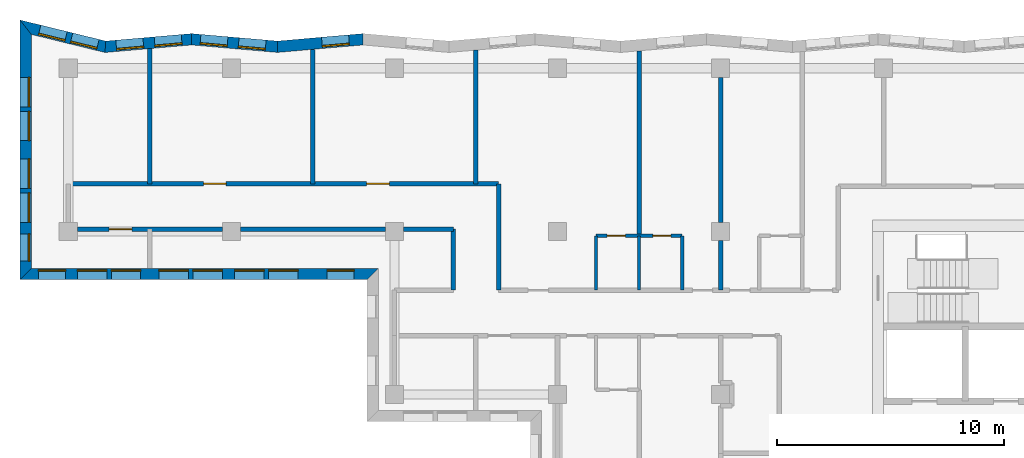
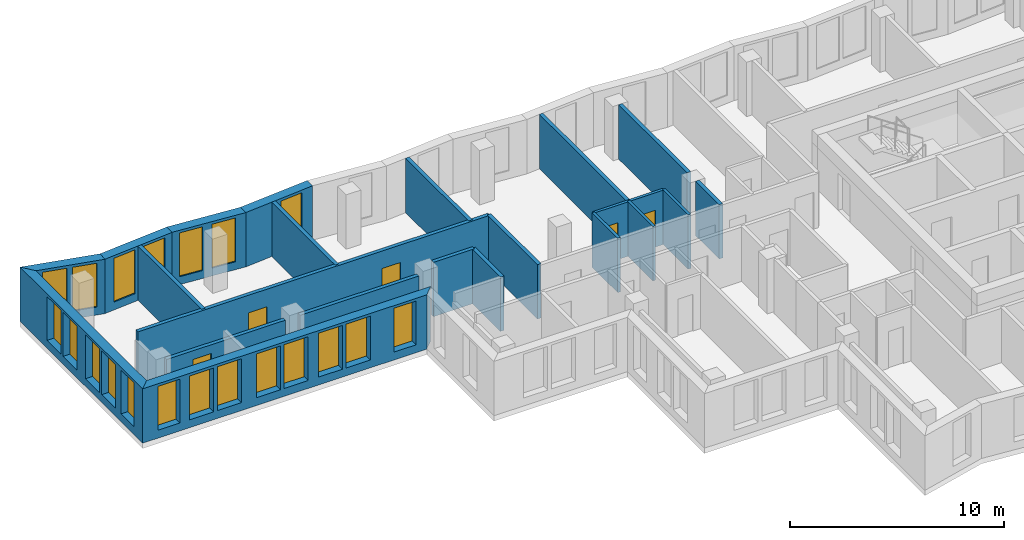
# One storey, part 5 of 11: 22 walls, 20 windows, 5 doors, 25 openings.
"""IFC4 building model written with IfcOpenShell, lengths in metres."""

from ifc_helpers import new_model, si_unit, direction, frame, frame_2d, origin, place, context, subcontext, project, spatial, polyline, rectangle, outline, extrude, material, layer, layer_set, type_object, element, fill, save


model = new_model("IFC4")

# Units and contexts
model_context = context("Model", 3, precision=1e-05, world=origin(), true_north=direction((0.0, 1.0)))
body_context = subcontext(model_context, "Body", "Model", "MODEL_VIEW")
ifc_project = project(units=[si_unit("LENGTHUNIT", "METRE"), si_unit("AREAUNIT", "SQUARE_METRE"), si_unit("VOLUMEUNIT", "CUBIC_METRE"), si_unit("PLANEANGLEUNIT", "RADIAN"), si_unit("MASSUNIT", "GRAM", prefix="KILO")], contexts=[model_context])

# Site, building, storey
site_placement = place(None, origin())
site = spatial("IfcSite", under=ifc_project, at=site_placement, CompositionType="ELEMENT")
building_placement = place(site_placement, origin())
building = spatial("IfcBuilding", under=site, at=building_placement, Name="Windrow Commons", CompositionType="ELEMENT")
storey_placement = place(building_placement, frame((0.0, 0.0, 193.0)))
storey = spatial("IfcBuildingStorey", under=building, at=storey_placement, Name="L52", CompositionType="ELEMENT", Elevation=193.0)

# Wall, opening, window
ifc_material_1 = material(Name="Brick masonry, red clay brick", Category="masonry")
ifc_layer_1 = layer(ifc_material_1, 0.5)
ifc_layer_set_1 = layer_set([ifc_layer_1], Name="Brick facade wall 500")
wall_type_1 = type_object("IfcWallType", Name="Brick facade wall 500", PredefinedType="SOLIDWALL", material=ifc_layer_set_1)
wall_1_placement = place(storey_placement, frame((34.6231, 73.2791, 0.0), z_axis=(0.0, 0.0, 1.0), x_axis=(-0.9962273538, -0.0867816769, 0.0)))
wall_1 = element("IfcWall", 1, at=wall_1_placement, inside=storey, type_object=wall_type_1, Name="Brick facade wall L52 29", PredefinedType="SOLIDWALL", context=body_context, shape_type="SweptSolid", body=[
    extrude(outline(polyline([(-0.0218, -0.25), (3.7808, -0.25), (3.8244, 0.25), (0.0218, 0.25), (-0.0218, -0.25)])), origin(), (0.0, 0.0, 1.0), 3.1),
])
opening_1_placement = place(wall_1_placement, frame((0.6266, 0.0, 0.45)))
opening_1 = element("IfcOpeningElement", 2, at=opening_1_placement, cuts=wall_1, Name="Opening W7E", PredefinedType="OPENING", context=body_context, shape_type="SweptSolid", body=[
    extrude(rectangle(XDim=1.2, YDim=2.5, at=frame_2d((0.6, 1.25))), frame((0.0, 0.26, 0.0), z_axis=(0.0, -1.0, 0.0), x_axis=(1.0, 0.0, 0.0)), (0.0, 0.0, 1.0), 0.52),
])
ifc_material_2 = material(Name="Clear float glass in anodised aluminium frame", Category="aluminium")
window_type_1 = type_object("IfcWindowType", Name="Window W7 notch 1200x2500", PartitioningType="SINGLE_PANEL", PredefinedType="WINDOW", material=ifc_material_2)
window_1_placement = place(opening_1_placement, origin())
window_1 = element("IfcWindow", 3, at=window_1_placement, inside=storey, type_object=window_type_1, Name="Window L52 29.1", OverallHeight=2.5, OverallWidth=1.2, PartitioningType="SINGLE_PANEL", PredefinedType="WINDOW", context=body_context, shape_type="SweptSolid", body=[
    extrude(rectangle(XDim=1.2, YDim=2.5, at=frame_2d((0.6, 1.25))), frame((0.0, 0.18, 0.0), z_axis=(0.0, -1.0, 0.0), x_axis=(1.0, 0.0, 0.0)), (0.0, 0.0, 1.0), 0.06),
])
fill(opening_1, window_1)

# Wall, openings, windows
wall_2_placement = place(storey_placement, frame((30.8348, 72.9491, 0.0), z_axis=(0.0, 0.0, 1.0), x_axis=(-0.9962273538, 0.0867816769, 0.0)))
wall_2 = element("IfcWall", 4, at=wall_2_placement, inside=storey, type_object=wall_type_1, Name="Brick facade wall L52 30", PredefinedType="SOLIDWALL", context=body_context, shape_type="SweptSolid", body=[
    extrude(outline(polyline([(0.0218, -0.25), (3.8244, -0.25), (3.7808, 0.25), (-0.0218, 0.25), (0.0218, -0.25)])), origin(), (0.0, 0.0, 1.0), 3.1),
])
opening_2_placement = place(wall_2_placement, frame((0.5213, 0.0, 0.45)))
opening_2 = element("IfcOpeningElement", 5, at=opening_2_placement, cuts=wall_2, Name="Opening W7E", PredefinedType="OPENING", context=body_context, shape_type="SweptSolid", body=[
    extrude(rectangle(XDim=1.2, YDim=2.5, at=frame_2d((0.6, 1.25))), frame((0.0, 0.26, 0.0), z_axis=(0.0, -1.0, 0.0), x_axis=(1.0, 0.0, 0.0)), (0.0, 0.0, 1.0), 0.52),
])
opening_3_placement = place(wall_2_placement, frame((2.2117, 0.0, 0.45)))
opening_3 = element("IfcOpeningElement", 6, at=opening_3_placement, cuts=wall_2, Name="Opening W7E", PredefinedType="OPENING", context=body_context, shape_type="SweptSolid", body=[
    extrude(rectangle(XDim=1.2, YDim=2.5, at=frame_2d((0.6, 1.25))), frame((0.0, 0.26, 0.0), z_axis=(0.0, -1.0, 0.0), x_axis=(1.0, 0.0, 0.0)), (0.0, 0.0, 1.0), 0.52),
])
window_2_placement = place(opening_2_placement, origin())
window_2 = element("IfcWindow", 7, at=window_2_placement, inside=storey, type_object=window_type_1, Name="Window L52 30.1", OverallHeight=2.5, OverallWidth=1.2, PartitioningType="SINGLE_PANEL", PredefinedType="WINDOW", context=body_context, shape_type="SweptSolid", body=[
    extrude(rectangle(XDim=1.2, YDim=2.5, at=frame_2d((0.6, 1.25))), frame((0.0, 0.18, 0.0), z_axis=(0.0, -1.0, 0.0), x_axis=(1.0, 0.0, 0.0)), (0.0, 0.0, 1.0), 0.06),
])
fill(opening_2, window_2)
window_3_placement = place(opening_3_placement, origin())
window_3 = element("IfcWindow", 8, at=window_3_placement, inside=storey, type_object=window_type_1, Name="Window L52 30.2", OverallHeight=2.5, OverallWidth=1.2, PartitioningType="SINGLE_PANEL", PredefinedType="WINDOW", context=body_context, shape_type="SweptSolid", body=[
    extrude(rectangle(XDim=1.2, YDim=2.5, at=frame_2d((0.6, 1.25))), frame((0.0, 0.18, 0.0), z_axis=(0.0, -1.0, 0.0), x_axis=(1.0, 0.0, 0.0)), (0.0, 0.0, 1.0), 0.06),
])
fill(opening_3, window_3)

wall_3_placement = place(storey_placement, frame((27.0465, 73.2791, 0.0), z_axis=(0.0, 0.0, 1.0), x_axis=(-0.9962271263, -0.0867842891, 0.0)))
wall_3 = element("IfcWall", 9, at=wall_3_placement, inside=storey, type_object=wall_type_1, Name="Brick facade wall L52 31", PredefinedType="SOLIDWALL", context=body_context, shape_type="SweptSolid", body=[
    extrude(outline(polyline([(-0.0218, -0.25), (3.7808, -0.25), (3.8635, 0.25), (0.0218, 0.25), (-0.0218, -0.25)])), origin(), (0.0, 0.0, 1.0), 3.1),
])
opening_4_placement = place(wall_3_placement, frame((0.4377, 0.0, 0.45)))
opening_4 = element("IfcOpeningElement", 10, at=opening_4_placement, cuts=wall_3, Name="Opening W7E", PredefinedType="OPENING", context=body_context, shape_type="SweptSolid", body=[
    extrude(rectangle(XDim=1.2, YDim=2.5, at=frame_2d((0.6, 1.25))), frame((0.0, 0.26, 0.0), z_axis=(0.0, -1.0, 0.0), x_axis=(1.0, 0.0, 0.0)), (0.0, 0.0, 1.0), 0.52),
])
opening_5_placement = place(wall_3_placement, frame((2.1378, 0.0, 0.45)))
opening_5 = element("IfcOpeningElement", 11, at=opening_5_placement, cuts=wall_3, Name="Opening W7E", PredefinedType="OPENING", context=body_context, shape_type="SweptSolid", body=[
    extrude(rectangle(XDim=1.2, YDim=2.5, at=frame_2d((0.6, 1.25))), frame((0.0, 0.26, 0.0), z_axis=(0.0, -1.0, 0.0), x_axis=(1.0, 0.0, 0.0)), (0.0, 0.0, 1.0), 0.52),
])
window_4_placement = place(opening_4_placement, origin())
window_4 = element("IfcWindow", 12, at=window_4_placement, inside=storey, type_object=window_type_1, Name="Window L52 31.1", OverallHeight=2.5, OverallWidth=1.2, PartitioningType="SINGLE_PANEL", PredefinedType="WINDOW", context=body_context, shape_type="SweptSolid", body=[
    extrude(rectangle(XDim=1.2, YDim=2.5, at=frame_2d((0.6, 1.25))), frame((0.0, 0.18, 0.0), z_axis=(0.0, -1.0, 0.0), x_axis=(1.0, 0.0, 0.0)), (0.0, 0.0, 1.0), 0.06),
])
fill(opening_4, window_4)
window_5_placement = place(opening_5_placement, origin())
window_5 = element("IfcWindow", 13, at=window_5_placement, inside=storey, type_object=window_type_1, Name="Window L52 31.2", OverallHeight=2.5, OverallWidth=1.2, PartitioningType="SINGLE_PANEL", PredefinedType="WINDOW", context=body_context, shape_type="SweptSolid", body=[
    extrude(rectangle(XDim=1.2, YDim=2.5, at=frame_2d((0.6, 1.25))), frame((0.0, 0.18, 0.0), z_axis=(0.0, -1.0, 0.0), x_axis=(1.0, 0.0, 0.0)), (0.0, 0.0, 1.0), 0.06),
])
fill(opening_5, window_5)

wall_4_placement = place(storey_placement, frame((23.2388, 72.9474, 0.0), z_axis=(0.0, 0.0, 1.0), x_axis=(-0.9711662492, 0.2384032642, 0.0)))
wall_4 = element("IfcWall", 14, at=wall_4_placement, inside=storey, type_object=wall_type_1, Name="Brick facade wall L52 32", PredefinedType="SOLIDWALL", context=body_context, shape_type="SweptSolid", body=[
    extrude(outline(polyline([(0.0413, -0.25), (3.9421, -0.25), (3.3045, 0.25), (-0.0413, 0.25), (0.0413, -0.25)])), origin(), (0.0, 0.0, 1.0), 3.1),
])
opening_6_placement = place(wall_4_placement, frame((0.3437, 0.0, 0.45)))
opening_6 = element("IfcOpeningElement", 15, at=opening_6_placement, cuts=wall_4, Name="Opening W7E", PredefinedType="OPENING", context=body_context, shape_type="SweptSolid", body=[
    extrude(rectangle(XDim=1.2, YDim=2.5, at=frame_2d((0.6, 1.25))), frame((0.0, 0.26, 0.0), z_axis=(0.0, -1.0, 0.0), x_axis=(1.0, 0.0, 0.0)), (0.0, 0.0, 1.0), 0.52),
])
opening_7_placement = place(wall_4_placement, frame((1.796, 0.0, 0.45)))
opening_7 = element("IfcOpeningElement", 16, at=opening_7_placement, cuts=wall_4, Name="Opening W7E", PredefinedType="OPENING", context=body_context, shape_type="SweptSolid", body=[
    extrude(rectangle(XDim=1.2, YDim=2.5, at=frame_2d((0.6, 1.25))), frame((0.0, 0.26, 0.0), z_axis=(0.0, -1.0, 0.0), x_axis=(1.0, 0.0, 0.0)), (0.0, 0.0, 1.0), 0.52),
])
window_6_placement = place(opening_6_placement, origin())
window_6 = element("IfcWindow", 17, at=window_6_placement, inside=storey, type_object=window_type_1, Name="Window L52 32.1", OverallHeight=2.5, OverallWidth=1.2, PartitioningType="SINGLE_PANEL", PredefinedType="WINDOW", context=body_context, shape_type="SweptSolid", body=[
    extrude(rectangle(XDim=1.2, YDim=2.5, at=frame_2d((0.6, 1.25))), frame((0.0, 0.18, 0.0), z_axis=(0.0, -1.0, 0.0), x_axis=(1.0, 0.0, 0.0)), (0.0, 0.0, 1.0), 0.06),
])
fill(opening_6, window_6)
window_7_placement = place(opening_7_placement, origin())
window_7 = element("IfcWindow", 18, at=window_7_placement, inside=storey, type_object=window_type_1, Name="Window L52 32.2", OverallHeight=2.5, OverallWidth=1.2, PartitioningType="SINGLE_PANEL", PredefinedType="WINDOW", context=body_context, shape_type="SweptSolid", body=[
    extrude(rectangle(XDim=1.2, YDim=2.5, at=frame_2d((0.6, 1.25))), frame((0.0, 0.18, 0.0), z_axis=(0.0, -1.0, 0.0), x_axis=(1.0, 0.0, 0.0)), (0.0, 0.0, 1.0), 0.06),
])
fill(opening_7, window_7)

wall_5_placement = place(storey_placement, frame((19.72, 73.8112, 0.0), z_axis=(0.0, 0.0, 1.0), x_axis=(0.0, -1.0, 0.0)))
wall_5 = element("IfcWall", 19, at=wall_5_placement, inside=storey, type_object=wall_type_1, Name="Brick facade wall L52 33", PredefinedType="SOLIDWALL", context=body_context, shape_type="SweptSolid", body=[
    extrude(outline(polyline([(-0.3188, -0.25), (11.1412, -0.25), (10.6412, 0.25), (0.3188, 0.25), (-0.3188, -0.25)])), origin(), (0.0, 0.0, 1.0), 3.1),
])
opening_8_placement = place(wall_5_placement, frame((2.2112, 0.0, 0.45)))
opening_8 = element("IfcOpeningElement", 20, at=opening_8_placement, cuts=wall_5, Name="Opening W1Q", PredefinedType="OPENING", context=body_context, shape_type="SweptSolid", body=[
    extrude(rectangle(XDim=1.3, YDim=2.5, at=frame_2d((0.65, 1.25))), frame((0.0, 0.26, 0.0), z_axis=(0.0, -1.0, 0.0), x_axis=(1.0, 0.0, 0.0)), (0.0, 0.0, 1.0), 0.52),
])
opening_9_placement = place(wall_5_placement, frame((3.7112, 0.0, 0.45)))
opening_9 = element("IfcOpeningElement", 21, at=opening_9_placement, cuts=wall_5, Name="Opening W1Q", PredefinedType="OPENING", context=body_context, shape_type="SweptSolid", body=[
    extrude(rectangle(XDim=1.3, YDim=2.5, at=frame_2d((0.65, 1.25))), frame((0.0, 0.26, 0.0), z_axis=(0.0, -1.0, 0.0), x_axis=(1.0, 0.0, 0.0)), (0.0, 0.0, 1.0), 0.52),
])
opening_10_placement = place(wall_5_placement, frame((5.8112, 0.0, 0.45)))
opening_10 = element("IfcOpeningElement", 22, at=opening_10_placement, cuts=wall_5, Name="Opening W1Q", PredefinedType="OPENING", context=body_context, shape_type="SweptSolid", body=[
    extrude(rectangle(XDim=1.3, YDim=2.5, at=frame_2d((0.65, 1.25))), frame((0.0, 0.26, 0.0), z_axis=(0.0, -1.0, 0.0), x_axis=(1.0, 0.0, 0.0)), (0.0, 0.0, 1.0), 0.52),
])
opening_11_placement = place(wall_5_placement, frame((7.3112, 0.0, 0.45)))
opening_11 = element("IfcOpeningElement", 23, at=opening_11_placement, cuts=wall_5, Name="Opening W1Q", PredefinedType="OPENING", context=body_context, shape_type="SweptSolid", body=[
    extrude(rectangle(XDim=1.3, YDim=2.5, at=frame_2d((0.65, 1.25))), frame((0.0, 0.26, 0.0), z_axis=(0.0, -1.0, 0.0), x_axis=(1.0, 0.0, 0.0)), (0.0, 0.0, 1.0), 0.52),
])
opening_12_placement = place(wall_5_placement, frame((9.1262, 0.0, 0.45)))
opening_12 = element("IfcOpeningElement", 24, at=opening_12_placement, cuts=wall_5, Name="Opening W7E", PredefinedType="OPENING", context=body_context, shape_type="SweptSolid", body=[
    extrude(rectangle(XDim=1.2, YDim=2.5, at=frame_2d((0.6, 1.25))), frame((0.0, 0.26, 0.0), z_axis=(0.0, -1.0, 0.0), x_axis=(1.0, 0.0, 0.0)), (0.0, 0.0, 1.0), 0.52),
])
ifc_material_3 = material(Name="Clear float glass in anodised aluminium frame", Category="aluminium")
window_type_2 = type_object("IfcWindowType", Name="Window W1Q pair 1300x2500", PartitioningType="SINGLE_PANEL", PredefinedType="WINDOW", material=ifc_material_3)
window_8_placement = place(opening_8_placement, origin())
window_8 = element("IfcWindow", 25, at=window_8_placement, inside=storey, type_object=window_type_2, Name="Window L52 33.1A", OverallHeight=2.5, OverallWidth=1.3, PartitioningType="SINGLE_PANEL", PredefinedType="WINDOW", context=body_context, shape_type="SweptSolid", body=[
    extrude(rectangle(XDim=1.3, YDim=2.5, at=frame_2d((0.65, 1.25))), frame((0.0, 0.18, 0.0), z_axis=(0.0, -1.0, 0.0), x_axis=(1.0, 0.0, 0.0)), (0.0, 0.0, 1.0), 0.06),
])
fill(opening_8, window_8)
window_9_placement = place(opening_9_placement, origin())
window_9 = element("IfcWindow", 26, at=window_9_placement, inside=storey, type_object=window_type_2, Name="Window L52 33.1B", OverallHeight=2.5, OverallWidth=1.3, PartitioningType="SINGLE_PANEL", PredefinedType="WINDOW", context=body_context, shape_type="SweptSolid", body=[
    extrude(rectangle(XDim=1.3, YDim=2.5, at=frame_2d((0.65, 1.25))), frame((0.0, 0.18, 0.0), z_axis=(0.0, -1.0, 0.0), x_axis=(1.0, 0.0, 0.0)), (0.0, 0.0, 1.0), 0.06),
])
fill(opening_9, window_9)
window_10_placement = place(opening_10_placement, origin())
window_10 = element("IfcWindow", 27, at=window_10_placement, inside=storey, type_object=window_type_2, Name="Window L52 33.2A", OverallHeight=2.5, OverallWidth=1.3, PartitioningType="SINGLE_PANEL", PredefinedType="WINDOW", context=body_context, shape_type="SweptSolid", body=[
    extrude(rectangle(XDim=1.3, YDim=2.5, at=frame_2d((0.65, 1.25))), frame((0.0, 0.18, 0.0), z_axis=(0.0, -1.0, 0.0), x_axis=(1.0, 0.0, 0.0)), (0.0, 0.0, 1.0), 0.06),
])
fill(opening_10, window_10)
window_11_placement = place(opening_11_placement, origin())
window_11 = element("IfcWindow", 28, at=window_11_placement, inside=storey, type_object=window_type_2, Name="Window L52 33.2B", OverallHeight=2.5, OverallWidth=1.3, PartitioningType="SINGLE_PANEL", PredefinedType="WINDOW", context=body_context, shape_type="SweptSolid", body=[
    extrude(rectangle(XDim=1.3, YDim=2.5, at=frame_2d((0.65, 1.25))), frame((0.0, 0.18, 0.0), z_axis=(0.0, -1.0, 0.0), x_axis=(1.0, 0.0, 0.0)), (0.0, 0.0, 1.0), 0.06),
])
fill(opening_11, window_11)
window_12_placement = place(opening_12_placement, origin())
window_12 = element("IfcWindow", 29, at=window_12_placement, inside=storey, type_object=window_type_1, Name="Window L52 33.3", OverallHeight=2.5, OverallWidth=1.2, PartitioningType="SINGLE_PANEL", PredefinedType="WINDOW", context=body_context, shape_type="SweptSolid", body=[
    extrude(rectangle(XDim=1.2, YDim=2.5, at=frame_2d((0.6, 1.25))), frame((0.0, 0.18, 0.0), z_axis=(0.0, -1.0, 0.0), x_axis=(1.0, 0.0, 0.0)), (0.0, 0.0, 1.0), 0.06),
])
fill(opening_12, window_12)

wall_6_placement = place(storey_placement, frame((19.72, 62.92, 0.0), z_axis=(0.0, 0.0, 1.0), x_axis=(1.0, 0.0, 0.0)))
wall_6 = element("IfcWall", 30, at=wall_6_placement, inside=storey, type_object=wall_type_1, Name="Brick facade wall L52 34", PredefinedType="SOLIDWALL", context=body_context, shape_type="SweptSolid", body=[
    extrude(outline(polyline([(-0.25, -0.25), (15.08, -0.25), (15.58, 0.25), (0.25, 0.25), (-0.25, -0.25)])), origin(), (0.0, 0.0, 1.0), 3.1),
])
opening_13_placement = place(wall_6_placement, frame((2.28, 0.0, 0.45)))
opening_13 = element("IfcOpeningElement", 31, at=opening_13_placement, cuts=wall_6, Name="Opening W1Q", PredefinedType="OPENING", context=body_context, shape_type="SweptSolid", body=[
    extrude(rectangle(XDim=1.3, YDim=2.5, at=frame_2d((0.65, 1.25))), frame((0.0, 0.26, 0.0), z_axis=(0.0, -1.0, 0.0), x_axis=(1.0, 0.0, 0.0)), (0.0, 0.0, 1.0), 0.52),
])
opening_14_placement = place(wall_6_placement, frame((3.78, 0.0, 0.45)))
opening_14 = element("IfcOpeningElement", 32, at=opening_14_placement, cuts=wall_6, Name="Opening W1Q", PredefinedType="OPENING", context=body_context, shape_type="SweptSolid", body=[
    extrude(rectangle(XDim=1.3, YDim=2.5, at=frame_2d((0.65, 1.25))), frame((0.0, 0.26, 0.0), z_axis=(0.0, -1.0, 0.0), x_axis=(1.0, 0.0, 0.0)), (0.0, 0.0, 1.0), 0.52),
])
opening_15_placement = place(wall_6_placement, frame((5.88, 0.0, 0.45)))
opening_15 = element("IfcOpeningElement", 33, at=opening_15_placement, cuts=wall_6, Name="Opening W1Q", PredefinedType="OPENING", context=body_context, shape_type="SweptSolid", body=[
    extrude(rectangle(XDim=1.3, YDim=2.5, at=frame_2d((0.65, 1.25))), frame((0.0, 0.26, 0.0), z_axis=(0.0, -1.0, 0.0), x_axis=(1.0, 0.0, 0.0)), (0.0, 0.0, 1.0), 0.52),
])
opening_16_placement = place(wall_6_placement, frame((7.38, 0.0, 0.45)))
opening_16 = element("IfcOpeningElement", 34, at=opening_16_placement, cuts=wall_6, Name="Opening W1Q", PredefinedType="OPENING", context=body_context, shape_type="SweptSolid", body=[
    extrude(rectangle(XDim=1.3, YDim=2.5, at=frame_2d((0.65, 1.25))), frame((0.0, 0.26, 0.0), z_axis=(0.0, -1.0, 0.0), x_axis=(1.0, 0.0, 0.0)), (0.0, 0.0, 1.0), 0.52),
])
opening_17_placement = place(wall_6_placement, frame((9.23, 0.0, 0.45)))
opening_17 = element("IfcOpeningElement", 35, at=opening_17_placement, cuts=wall_6, Name="Opening W1Q", PredefinedType="OPENING", context=body_context, shape_type="SweptSolid", body=[
    extrude(rectangle(XDim=1.3, YDim=2.5, at=frame_2d((0.65, 1.25))), frame((0.0, 0.26, 0.0), z_axis=(0.0, -1.0, 0.0), x_axis=(1.0, 0.0, 0.0)), (0.0, 0.0, 1.0), 0.52),
])
opening_18_placement = place(wall_6_placement, frame((10.73, 0.0, 0.45)))
opening_18 = element("IfcOpeningElement", 36, at=opening_18_placement, cuts=wall_6, Name="Opening W1Q", PredefinedType="OPENING", context=body_context, shape_type="SweptSolid", body=[
    extrude(rectangle(XDim=1.3, YDim=2.5, at=frame_2d((0.65, 1.25))), frame((0.0, 0.26, 0.0), z_axis=(0.0, -1.0, 0.0), x_axis=(1.0, 0.0, 0.0)), (0.0, 0.0, 1.0), 0.52),
])
opening_19_placement = place(wall_6_placement, frame((0.565, 0.0, 0.45)))
opening_19 = element("IfcOpeningElement", 37, at=opening_19_placement, cuts=wall_6, Name="Opening W7E", PredefinedType="OPENING", context=body_context, shape_type="SweptSolid", body=[
    extrude(rectangle(XDim=1.2, YDim=2.5, at=frame_2d((0.6, 1.25))), frame((0.0, 0.26, 0.0), z_axis=(0.0, -1.0, 0.0), x_axis=(1.0, 0.0, 0.0)), (0.0, 0.0, 1.0), 0.52),
])
opening_20_placement = place(wall_6_placement, frame((13.305, 0.0, 0.45)))
opening_20 = element("IfcOpeningElement", 38, at=opening_20_placement, cuts=wall_6, Name="Opening W7E", PredefinedType="OPENING", context=body_context, shape_type="SweptSolid", body=[
    extrude(rectangle(XDim=1.2, YDim=2.5, at=frame_2d((0.6, 1.25))), frame((0.0, 0.26, 0.0), z_axis=(0.0, -1.0, 0.0), x_axis=(1.0, 0.0, 0.0)), (0.0, 0.0, 1.0), 0.52),
])
window_13_placement = place(opening_13_placement, origin())
window_13 = element("IfcWindow", 39, at=window_13_placement, inside=storey, type_object=window_type_2, Name="Window L52 34.1A", OverallHeight=2.5, OverallWidth=1.3, PartitioningType="SINGLE_PANEL", PredefinedType="WINDOW", context=body_context, shape_type="SweptSolid", body=[
    extrude(rectangle(XDim=1.3, YDim=2.5, at=frame_2d((0.65, 1.25))), frame((0.0, 0.18, 0.0), z_axis=(0.0, -1.0, 0.0), x_axis=(1.0, 0.0, 0.0)), (0.0, 0.0, 1.0), 0.06),
])
fill(opening_13, window_13)
window_14_placement = place(opening_14_placement, origin())
window_14 = element("IfcWindow", 40, at=window_14_placement, inside=storey, type_object=window_type_2, Name="Window L52 34.1B", OverallHeight=2.5, OverallWidth=1.3, PartitioningType="SINGLE_PANEL", PredefinedType="WINDOW", context=body_context, shape_type="SweptSolid", body=[
    extrude(rectangle(XDim=1.3, YDim=2.5, at=frame_2d((0.65, 1.25))), frame((0.0, 0.18, 0.0), z_axis=(0.0, -1.0, 0.0), x_axis=(1.0, 0.0, 0.0)), (0.0, 0.0, 1.0), 0.06),
])
fill(opening_14, window_14)
window_15_placement = place(opening_15_placement, origin())
window_15 = element("IfcWindow", 41, at=window_15_placement, inside=storey, type_object=window_type_2, Name="Window L52 34.2A", OverallHeight=2.5, OverallWidth=1.3, PartitioningType="SINGLE_PANEL", PredefinedType="WINDOW", context=body_context, shape_type="SweptSolid", body=[
    extrude(rectangle(XDim=1.3, YDim=2.5, at=frame_2d((0.65, 1.25))), frame((0.0, 0.18, 0.0), z_axis=(0.0, -1.0, 0.0), x_axis=(1.0, 0.0, 0.0)), (0.0, 0.0, 1.0), 0.06),
])
fill(opening_15, window_15)
window_16_placement = place(opening_16_placement, origin())
window_16 = element("IfcWindow", 42, at=window_16_placement, inside=storey, type_object=window_type_2, Name="Window L52 34.2B", OverallHeight=2.5, OverallWidth=1.3, PartitioningType="SINGLE_PANEL", PredefinedType="WINDOW", context=body_context, shape_type="SweptSolid", body=[
    extrude(rectangle(XDim=1.3, YDim=2.5, at=frame_2d((0.65, 1.25))), frame((0.0, 0.18, 0.0), z_axis=(0.0, -1.0, 0.0), x_axis=(1.0, 0.0, 0.0)), (0.0, 0.0, 1.0), 0.06),
])
fill(opening_16, window_16)
window_17_placement = place(opening_17_placement, origin())
window_17 = element("IfcWindow", 43, at=window_17_placement, inside=storey, type_object=window_type_2, Name="Window L52 34.3A", OverallHeight=2.5, OverallWidth=1.3, PartitioningType="SINGLE_PANEL", PredefinedType="WINDOW", context=body_context, shape_type="SweptSolid", body=[
    extrude(rectangle(XDim=1.3, YDim=2.5, at=frame_2d((0.65, 1.25))), frame((0.0, 0.18, 0.0), z_axis=(0.0, -1.0, 0.0), x_axis=(1.0, 0.0, 0.0)), (0.0, 0.0, 1.0), 0.06),
])
fill(opening_17, window_17)
window_18_placement = place(opening_18_placement, origin())
window_18 = element("IfcWindow", 44, at=window_18_placement, inside=storey, type_object=window_type_2, Name="Window L52 34.3B", OverallHeight=2.5, OverallWidth=1.3, PartitioningType="SINGLE_PANEL", PredefinedType="WINDOW", context=body_context, shape_type="SweptSolid", body=[
    extrude(rectangle(XDim=1.3, YDim=2.5, at=frame_2d((0.65, 1.25))), frame((0.0, 0.18, 0.0), z_axis=(0.0, -1.0, 0.0), x_axis=(1.0, 0.0, 0.0)), (0.0, 0.0, 1.0), 0.06),
])
fill(opening_18, window_18)
window_19_placement = place(opening_19_placement, origin())
window_19 = element("IfcWindow", 45, at=window_19_placement, inside=storey, type_object=window_type_1, Name="Window L52 34.4", OverallHeight=2.5, OverallWidth=1.2, PartitioningType="SINGLE_PANEL", PredefinedType="WINDOW", context=body_context, shape_type="SweptSolid", body=[
    extrude(rectangle(XDim=1.2, YDim=2.5, at=frame_2d((0.6, 1.25))), frame((0.0, 0.18, 0.0), z_axis=(0.0, -1.0, 0.0), x_axis=(1.0, 0.0, 0.0)), (0.0, 0.0, 1.0), 0.06),
])
fill(opening_19, window_19)
window_20_placement = place(opening_20_placement, origin())
window_20 = element("IfcWindow", 46, at=window_20_placement, inside=storey, type_object=window_type_1, Name="Window L52 34.5", OverallHeight=2.5, OverallWidth=1.2, PartitioningType="SINGLE_PANEL", PredefinedType="WINDOW", context=body_context, shape_type="SweptSolid", body=[
    extrude(rectangle(XDim=1.2, YDim=2.5, at=frame_2d((0.6, 1.25))), frame((0.0, 0.18, 0.0), z_axis=(0.0, -1.0, 0.0), x_axis=(1.0, 0.0, 0.0)), (0.0, 0.0, 1.0), 0.06),
])
fill(opening_20, window_20)

# Wall, openings, doors
ifc_material_4 = material(Name="Blockwork partition", Category="masonry")
ifc_layer_2 = layer(ifc_material_4, 0.2)
ifc_layer_set_2 = layer_set([ifc_layer_2], Name="IW-CORRIDOR-200")
wall_type_2 = type_object("IfcWallType", Name="IW-CORRIDOR-200", PredefinedType="PARTITIONING", material=ifc_layer_set_2)
wall_7_placement = place(storey_placement, frame((21.602, 66.9, 0.0), z_axis=(0.0, 0.0, 1.0), x_axis=(1.0, 0.0, 0.0)))
wall_7 = element("IfcWall", 47, at=wall_7_placement, inside=storey, type_object=wall_type_2, Name="W-L52-W000", PredefinedType="PARTITIONING", context=body_context, shape_type="SweptSolid", body=[
    extrude(rectangle(XDim=18.998, YDim=0.2, at=frame_2d((9.499, 0.0))), origin(), (0.0, 0.0, 1.0), 3.1),
])
opening_21_placement = place(wall_7_placement, frame((5.9717, 0.0, 0.0)))
opening_21 = element("IfcOpeningElement", 48, at=opening_21_placement, cuts=wall_7, Name="Opening D310F", PredefinedType="OPENING", context=body_context, shape_type="SweptSolid", body=[
    extrude(rectangle(XDim=1.0, YDim=2.1, at=frame_2d((0.5, 1.05))), frame((0.0, 0.11, 0.0), z_axis=(0.0, -1.0, 0.0), x_axis=(1.0, 0.0, 0.0)), (0.0, 0.0, 1.0), 0.22),
])
opening_22_placement = place(wall_7_placement, frame((13.1717, 0.0, 0.0)))
opening_22 = element("IfcOpeningElement", 49, at=opening_22_placement, cuts=wall_7, Name="Opening D310F", PredefinedType="OPENING", context=body_context, shape_type="SweptSolid", body=[
    extrude(rectangle(XDim=1.0, YDim=2.1, at=frame_2d((0.5, 1.05))), frame((0.0, 0.11, 0.0), z_axis=(0.0, -1.0, 0.0), x_axis=(1.0, 0.0, 0.0)), (0.0, 0.0, 1.0), 0.22),
])
ifc_material_5 = material(Name="Timber door leaf", Category="wood")
door_type_1 = type_object("IfcDoorType", Name="DT-AMENITY-1000", OperationType="SINGLE_SWING_LEFT", PredefinedType="DOOR", material=ifc_material_5)
door_1_placement = place(opening_21_placement, origin())
door_1 = element("IfcDoor", 50, at=door_1_placement, inside=storey, type_object=door_type_1, Name="D-L52-D002", OperationType="SINGLE_SWING_LEFT", OverallHeight=2.1, OverallWidth=1.0, PredefinedType="DOOR", context=body_context, shape_type="SweptSolid", body=[
    extrude(rectangle(XDim=1.0, YDim=2.1, at=frame_2d((0.5, 1.05))), frame((0.0, 0.025, 0.0), z_axis=(0.0, -1.0, 0.0), x_axis=(1.0, 0.0, 0.0)), (0.0, 0.0, 1.0), 0.05),
])
fill(opening_21, door_1)
door_2_placement = place(opening_22_placement, origin())
door_2 = element("IfcDoor", 51, at=door_2_placement, inside=storey, type_object=door_type_1, Name="D-L52-D003", OperationType="SINGLE_SWING_LEFT", OverallHeight=2.1, OverallWidth=1.0, PredefinedType="DOOR", context=body_context, shape_type="SweptSolid", body=[
    extrude(rectangle(XDim=1.0, YDim=2.1, at=frame_2d((0.5, 1.05))), frame((0.0, 0.025, 0.0), z_axis=(0.0, -1.0, 0.0), x_axis=(1.0, 0.0, 0.0)), (0.0, 0.0, 1.0), 0.05),
])
fill(opening_22, door_2)

# Wall
wall_8_placement = place(storey_placement, frame((29.2, 64.9, 0.0), z_axis=(0.0, 0.0, 1.0), x_axis=(1.0, 0.0, 0.0)))
element("IfcWall", 52, at=wall_8_placement, inside=storey, type_object=wall_type_2, Name="W-L52-W018", PredefinedType="PARTITIONING", context=body_context, shape_type="SweptSolid", body=[
    extrude(rectangle(XDim=6.4, YDim=0.2, at=frame_2d((3.2, 0.0))), origin(), (0.0, 0.0, 1.0), 2.6),
])

# Wall, opening, door
wall_9_placement = place(storey_placement, frame((22.0, 64.9, 0.0), z_axis=(0.0, 0.0, 1.0), x_axis=(1.0, 0.0, 0.0)))
wall_9 = element("IfcWall", 53, at=wall_9_placement, inside=storey, type_object=wall_type_2, Name="W-L52-W019", PredefinedType="PARTITIONING", context=body_context, shape_type="SweptSolid", body=[
    extrude(rectangle(XDim=6.4, YDim=0.2, at=frame_2d((3.2, 0.0))), origin(), (0.0, 0.0, 1.0), 2.6),
])
opening_23_placement = place(wall_9_placement, frame((1.4072, 0.0, 0.0)))
opening_23 = element("IfcOpeningElement", 54, at=opening_23_placement, cuts=wall_9, Name="Opening D310F", PredefinedType="OPENING", context=body_context, shape_type="SweptSolid", body=[
    extrude(rectangle(XDim=1.0, YDim=2.1, at=frame_2d((0.5, 1.05))), frame((0.0, 0.11, 0.0), z_axis=(0.0, -1.0, 0.0), x_axis=(1.0, 0.0, 0.0)), (0.0, 0.0, 1.0), 0.22),
])
door_3_placement = place(opening_23_placement, origin())
door_3 = element("IfcDoor", 55, at=door_3_placement, inside=storey, type_object=door_type_1, Name="D-L52-D001", OperationType="SINGLE_SWING_RIGHT", OverallHeight=2.1, OverallWidth=1.0, PredefinedType="DOOR", context=body_context, shape_type="SweptSolid", body=[
    extrude(rectangle(XDim=1.0, YDim=2.1, at=frame_2d((0.5, 1.05))), frame((0.0, 0.025, 0.0), z_axis=(0.0, -1.0, 0.0), x_axis=(1.0, 0.0, 0.0)), (0.0, 0.0, 1.0), 0.05),
])
fill(opening_23, door_3)

# Walls
wall_10_placement = place(storey_placement, frame((40.6, 62.202, 0.0), z_axis=(0.0, 0.0, 1.0), x_axis=(0.0, 1.0, 0.0)))
element("IfcWall", 56, at=wall_10_placement, inside=storey, type_object=wall_type_2, Name="W-L52-W041", PredefinedType="PARTITIONING", context=body_context, shape_type="SweptSolid", body=[
    extrude(rectangle(XDim=4.696, YDim=0.2, at=frame_2d((2.348, 0.0))), origin(), (0.0, 0.0, 1.0), 3.1),
])
wall_11_placement = place(storey_placement, frame((38.6, 62.202, 0.0), z_axis=(0.0, 0.0, 1.0), x_axis=(0.0, 1.0, 0.0)))
element("IfcWall", 57, at=wall_11_placement, inside=storey, type_object=wall_type_2, Name="W-L52-W056", PredefinedType="PARTITIONING", context=body_context, shape_type="SweptSolid", body=[
    extrude(rectangle(XDim=2.698, YDim=0.2, at=frame_2d((1.349, 0.0))), origin(), (0.0, 0.0, 1.0), 3.1),
])
wall_12_placement = place(storey_placement, frame((36.4, 64.9, 0.0), z_axis=(0.0, 0.0, 1.0), x_axis=(1.0, 0.0, 0.0)))
element("IfcWall", 58, at=wall_12_placement, inside=storey, type_object=wall_type_2, Name="W-L52-W086", PredefinedType="PARTITIONING", context=body_context, shape_type="SweptSolid", body=[
    extrude(rectangle(XDim=2.2, YDim=0.2, at=frame_2d((1.1, 0.0))), origin(), (0.0, 0.0, 1.0), 3.1),
])

# Wall, openings, doors
ifc_material_6 = material(Name="Blockwork partition", Category="masonry")
ifc_layer_3 = layer(ifc_material_6, 0.15)
ifc_layer_set_3 = layer_set([ifc_layer_3], Name="IW-ENSUITE-150")
wall_type_3 = type_object("IfcWallType", Name="IW-ENSUITE-150", PredefinedType="PARTITIONING", material=ifc_layer_set_3)
wall_13_placement = place(storey_placement, frame((44.9, 64.6, 0.0), z_axis=(0.0, 0.0, 1.0), x_axis=(1.0, 0.0, 0.0)))
wall_13 = element("IfcWall", 59, at=wall_13_placement, inside=storey, type_object=wall_type_3, Name="W-L52-W048", PredefinedType="PARTITIONING", context=body_context, shape_type="SweptSolid", body=[
    extrude(rectangle(XDim=3.8, YDim=0.15, at=frame_2d((1.9, 0.0))), origin(), (0.0, 0.0, 1.0), 3.1),
])
opening_24_placement = place(wall_13_placement, frame((0.4931, 0.0, 0.0)))
opening_24 = element("IfcOpeningElement", 60, at=opening_24_placement, cuts=wall_13, Name="Opening D208N", PredefinedType="OPENING", context=body_context, shape_type="SweptSolid", body=[
    extrude(rectangle(XDim=0.8, YDim=2.1, at=frame_2d((0.4, 1.05))), frame((0.0, 0.085, 0.0), z_axis=(0.0, -1.0, 0.0), x_axis=(1.0, 0.0, 0.0)), (0.0, 0.0, 1.0), 0.17),
])
opening_25_placement = place(wall_13_placement, frame((2.5069, 0.0, 0.0)))
opening_25 = element("IfcOpeningElement", 61, at=opening_25_placement, cuts=wall_13, Name="Opening D208N", PredefinedType="OPENING", context=body_context, shape_type="SweptSolid", body=[
    extrude(rectangle(XDim=0.8, YDim=2.1, at=frame_2d((0.4, 1.05))), frame((0.0, 0.085, 0.0), z_axis=(0.0, -1.0, 0.0), x_axis=(1.0, 0.0, 0.0)), (0.0, 0.0, 1.0), 0.17),
])
ifc_material_7 = material(Name="Timber door leaf", Category="wood")
door_type_2 = type_object("IfcDoorType", Name="DT-ENSUITE-800", OperationType="SINGLE_SWING_LEFT", PredefinedType="DOOR", material=ifc_material_7)
door_4_placement = place(opening_24_placement, origin())
door_4 = element("IfcDoor", 62, at=door_4_placement, inside=storey, type_object=door_type_2, Name="D-L52-D011", OperationType="SINGLE_SWING_RIGHT", OverallHeight=2.1, OverallWidth=0.8, PredefinedType="DOOR", context=body_context, shape_type="SweptSolid", body=[
    extrude(rectangle(XDim=0.8, YDim=2.1, at=frame_2d((0.4, 1.05))), frame((0.0, 0.025, 0.0), z_axis=(0.0, -1.0, 0.0), x_axis=(1.0, 0.0, 0.0)), (0.0, 0.0, 1.0), 0.05),
])
fill(opening_24, door_4)
door_5_placement = place(opening_25_placement, origin())
door_5 = element("IfcDoor", 63, at=door_5_placement, inside=storey, type_object=door_type_2, Name="D-L52-D013", OperationType="SINGLE_SWING_RIGHT", OverallHeight=2.1, OverallWidth=0.8, PredefinedType="DOOR", context=body_context, shape_type="SweptSolid", body=[
    extrude(rectangle(XDim=0.8, YDim=2.1, at=frame_2d((0.4, 1.05))), frame((0.0, 0.025, 0.0), z_axis=(0.0, -1.0, 0.0), x_axis=(1.0, 0.0, 0.0)), (0.0, 0.0, 1.0), 0.05),
])
fill(opening_25, door_5)

# Walls
for number, where, z_axis, x_axis, name in (
    (64, (44.9, 62.2, 0.0), (0.0, 0.0, 1.0), (0.0, 1.0, 0.0), "W-L52-W074"),
    (65, (46.8, 62.2, 0.0), (0.0, 0.0, 1.0), (0.0, 1.0, 0.0), "W-L52-W075"),
    (66, (48.7, 62.2, 0.0), (0.0, 0.0, 1.0), (0.0, 1.0, 0.0), "W-L52-W076"),
):
    element("IfcWall", number, at=place(storey_placement, frame(where, z_axis=z_axis, x_axis=x_axis)), inside=storey, type_object=wall_type_3, Name=name, PredefinedType="PARTITIONING", context=body_context, shape_type="SweptSolid", body=[
        extrude(rectangle(XDim=2.4, YDim=0.15, at=frame_2d((1.2, 0.0))), origin(), (0.0, 0.0, 1.0), 3.1),
    ])
ifc_material_8 = material(Name="Blockwork partition", Category="masonry")
ifc_layer_4 = layer(ifc_material_8, 0.2)
ifc_layer_set_4 = layer_set([ifc_layer_4], Name="IW-PARTY-200")
wall_type_4 = type_object("IfcWallType", Name="IW-PARTY-200", PredefinedType="PARTITIONING", material=ifc_layer_set_4)
wall_14_placement = place(storey_placement, frame((46.8, 64.6, 0.0), z_axis=(0.0, 0.0, 1.0), x_axis=(0.0, 1.0, 0.0)))
element("IfcWall", 67, at=wall_14_placement, inside=storey, type_object=wall_type_4, Name="W-L52-W012", PredefinedType="PARTITIONING", context=body_context, shape_type="SweptSolid", body=[
    extrude(rectangle(XDim=8.1689, YDim=0.2, at=frame_2d((4.0845, 0.0))), origin(), (0.0, 0.0, 1.0), 3.1),
])
wall_15_placement = place(storey_placement, frame((50.4, 65.2, 0.0), z_axis=(0.0, 0.0, 1.0), x_axis=(0.0, 1.0, 0.0)))
element("IfcWall", 68, at=wall_15_placement, inside=storey, type_object=wall_type_4, Name="W-L52-W021", PredefinedType="PARTITIONING", context=body_context, shape_type="SweptSolid", body=[
    extrude(rectangle(XDim=6.4, YDim=0.2, at=frame_2d((3.2, 0.0))), origin(), (0.0, 0.0, 1.0), 3.1),
])
wall_16_placement = place(storey_placement, frame((25.2, 66.9, 0.0), z_axis=(0.0, 0.0, 1.0), x_axis=(0.0, 1.0, 0.0)))
element("IfcWall", 69, at=wall_16_placement, inside=storey, type_object=wall_type_4, Name="W-L52-W025", PredefinedType="PARTITIONING", context=body_context, shape_type="SweptSolid", body=[
    extrude(rectangle(XDim=5.9673, YDim=0.2, at=frame_2d((2.9836, 0.0))), origin(), (0.0, 0.0, 1.0), 3.1),
])
wall_17_placement = place(storey_placement, frame((32.4, 66.9, 0.0), z_axis=(0.0, 0.0, 1.0), x_axis=(0.0, 1.0, 0.0)))
element("IfcWall", 70, at=wall_17_placement, inside=storey, type_object=wall_type_4, Name="W-L52-W026", PredefinedType="PARTITIONING", context=body_context, shape_type="SweptSolid", body=[
    extrude(rectangle(XDim=5.9345, YDim=0.2, at=frame_2d((2.9672, 0.0))), origin(), (0.0, 0.0, 1.0), 3.1),
])
wall_18_placement = place(storey_placement, frame((39.6, 66.9, 0.0), z_axis=(0.0, 0.0, 1.0), x_axis=(0.0, 1.0, 0.0)))
element("IfcWall", 71, at=wall_18_placement, inside=storey, type_object=wall_type_4, Name="W-L52-W027", PredefinedType="PARTITIONING", context=body_context, shape_type="SweptSolid", body=[
    extrude(rectangle(XDim=5.9017, YDim=0.2, at=frame_2d((2.9508, 0.0))), origin(), (0.0, 0.0, 1.0), 3.1),
])
wall_19_placement = place(storey_placement, frame((50.4, 62.2, 0.0), z_axis=(0.0, 0.0, 1.0), x_axis=(0.0, 1.0, 0.0)))
element("IfcWall", 72, at=wall_19_placement, inside=storey, type_object=wall_type_4, Name="W-L52-W090", PredefinedType="PARTITIONING", context=body_context, shape_type="SweptSolid", body=[
    extrude(rectangle(XDim=2.2, YDim=0.2, at=frame_2d((1.1, 0.0))), origin(), (0.0, 0.0, 1.0), 3.1),
])

save(model, "model.ifc")
